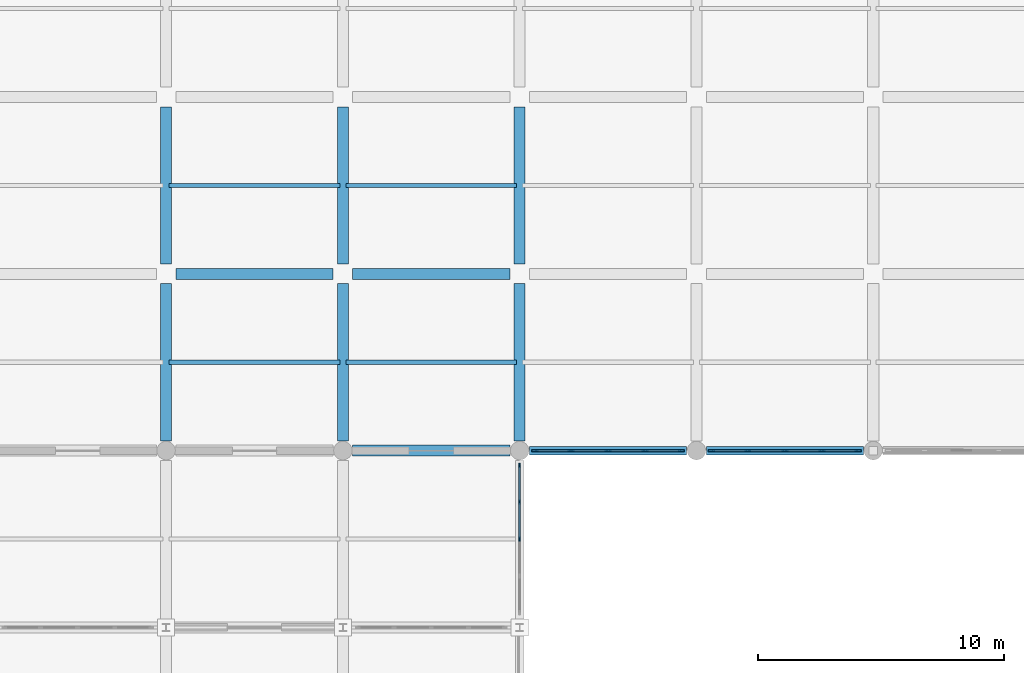
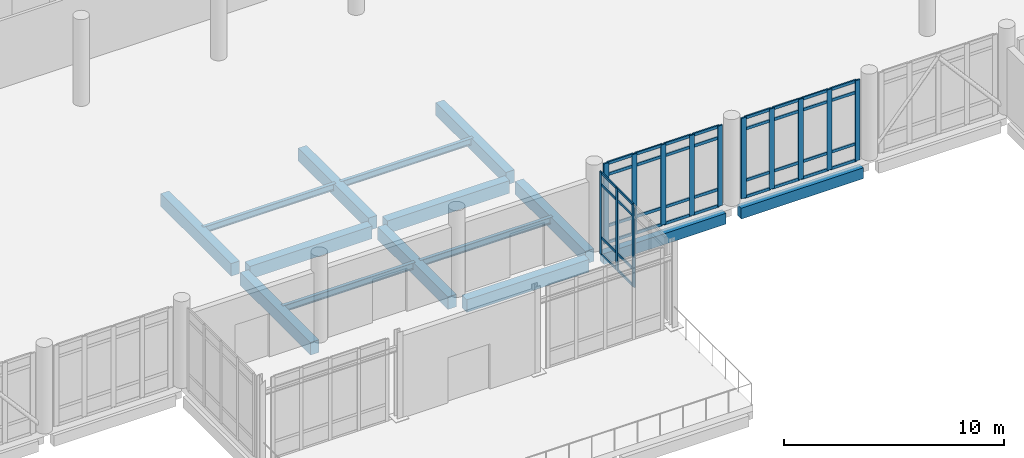
# One storey, part 17 of 59: 53 members, 15 beams, 3 elements without a shape of their own.
"""IFC4 building model written with IfcOpenShell, lengths in metres."""

from ifc_helpers import new_model, si_unit, direction, frame, origin, origin_2d, place, context, subcontext, project, spatial, rectangle, i_section, extrude, material, layer, layer_set, material_profile, profile_set, type_object, element, aggregate, save


model = new_model("IFC4")

# Units and contexts
model_context = context("Model", 3, precision=1e-05, world=origin(), true_north=direction((0.0, 1.0)))
body_context = subcontext(model_context, "Body", "Model", "MODEL_VIEW")
ifc_project = project(units=[si_unit("LENGTHUNIT", "METRE"), si_unit("AREAUNIT", "SQUARE_METRE"), si_unit("VOLUMEUNIT", "CUBIC_METRE"), si_unit("PLANEANGLEUNIT", "RADIAN"), si_unit("MASSUNIT", "GRAM", prefix="KILO")], contexts=[model_context])

# Site, building, storey
site_placement = place(None, origin())
site = spatial("IfcSite", under=ifc_project, at=site_placement, CompositionType="ELEMENT")
building_placement = place(site_placement, origin())
building = spatial("IfcBuilding", under=site, at=building_placement, Name="Valkovuoma Quantum and Materials Research Institute", CompositionType="ELEMENT")
storey_placement = place(building_placement, origin())
storey = spatial("IfcBuildingStorey", under=building, at=storey_placement, Name="L00", CompositionType="ELEMENT", Elevation=0.0)

# Beams
ifc_material_1 = material(Name="Steel S355J2", Category="steel")
ifc_material_profile_1 = material_profile(ifc_material_1, i_section(OverallWidth=0.169921875, OverallDepth=0.360107421875, WebThickness=0.008056640625, FlangeThickness=0.0126953125, FilletRadius=0.01806640625, at=origin_2d()), Name="Steel S355J2")
ifc_profile_set_1 = profile_set([ifc_material_profile_1], Name="Steel S355J2")
beam_type_1 = type_object("IfcBeamType", Name="Beam-B-JST360", PredefinedType="JOIST", material=ifc_profile_set_1)
for number, where, z_axis, x_axis, name in (
    (1, (64.919921875, 39.60009765625, -0.580078125), (1.0, 0.0, 0.0), (0.0, 1.0, 0.0), "L00 floor joist 0425"),
    (2, (72.1201171875, 39.60009765625, -0.580078125), (1.0, 0.0, 0.0), (0.0, 1.0, 0.0), "L00 floor joist 0426"),
    (3, (64.919921875, 46.800048828125, -0.580078125), (1.0, 0.0, 0.0), (0.0, 1.0, 0.0), "L00 floor joist 0442"),
    (4, (72.1201171875, 46.800048828125, -0.580078125), (1.0, 0.0, 0.0), (0.0, 1.0, 0.0), "L00 floor joist 0443"),
):
    element("IfcBeam", number, at=place(storey_placement, frame(where, z_axis=z_axis, x_axis=x_axis)), inside=storey, type_object=beam_type_1, Name=name, PredefinedType="JOIST", context=body_context, shape_type="SweptSolid", body=[
        extrude(i_section(OverallWidth=0.169921875, OverallDepth=0.360107421875, WebThickness=0.008056640625, FlangeThickness=0.0126953125, FilletRadius=0.01806640625, at=origin_2d()), origin(), (0.0, 0.0, 1.0), 6.9599609375),
    ])
ifc_material_2 = material(Name="Concrete C40/50", Category="concrete")
ifc_material_profile_2 = material_profile(ifc_material_2, rectangle(XDim=0.449951171875, YDim=0.699951171875, at=origin_2d()), Name="Concrete C40/50")
ifc_profile_set_2 = profile_set([ifc_material_profile_2], Name="Concrete C40/50")
beam_type_2 = type_object("IfcBeamType", Name="Beam-B-RC700", PredefinedType="BEAM", material=ifc_profile_set_2)
for number, where, z_axis, x_axis, name in (
    (5, (72.39990234375, 36.0, -0.75), (1.0, 0.0, 0.0), (0.0, 1.0, 0.0), "L00 beam X-0041"),
    (6, (65.199951171875, 43.199951171875, -0.75), (1.0, 0.0, 0.0), (0.0, 1.0, 0.0), "L00 beam X-0063"),
    (7, (72.39990234375, 43.199951171875, -0.75), (1.0, 0.0, 0.0), (0.0, 1.0, 0.0), "L00 beam X-0064"),
    (8, (64.800048828125, 36.39990234375, -0.75), (0.0, 1.0, 0.0), (-1.0, 0.0, 0.0), "L00 beam Y-0270"),
):
    element("IfcBeam", number, at=place(storey_placement, frame(where, z_axis=z_axis, x_axis=x_axis)), inside=storey, type_object=beam_type_2, Name=name, PredefinedType="BEAM", context=body_context, shape_type="SweptSolid", body=[
        extrude(rectangle(XDim=0.449951171875, YDim=0.699951171875, at=origin_2d()), origin(), (0.0, 0.0, 1.0), 6.400146484375),
    ])
beam_1_placement = place(storey_placement, frame((64.800048828125, 43.60009765625, -0.75), z_axis=(0.0, 1.0, 0.0), x_axis=(-1.0, 0.0, 0.0)))
element("IfcBeam", 9, at=beam_1_placement, inside=storey, type_object=beam_type_2, Name="L00 beam Y-0271", PredefinedType="BEAM", context=body_context, shape_type="SweptSolid", body=[
    extrude(rectangle(XDim=0.449951171875, YDim=0.699951171875, at=origin_2d()), origin(), (0.0, 0.0, 1.0), 6.39990234375),
])
beam_2_placement = place(storey_placement, frame((72.0, 36.39990234375, -0.75), z_axis=(0.0, 1.0, 0.0), x_axis=(-1.0, 0.0, 0.0)))
element("IfcBeam", 10, at=beam_2_placement, inside=storey, type_object=beam_type_2, Name="L00 beam Y-0276", PredefinedType="BEAM", context=body_context, shape_type="SweptSolid", body=[
    extrude(rectangle(XDim=0.449951171875, YDim=0.699951171875, at=origin_2d()), origin(), (0.0, 0.0, 1.0), 6.400146484375),
])
beam_3_placement = place(storey_placement, frame((72.0, 43.60009765625, -0.75), z_axis=(0.0, 1.0, 0.0), x_axis=(-1.0, 0.0, 0.0)))
element("IfcBeam", 11, at=beam_3_placement, inside=storey, type_object=beam_type_2, Name="L00 beam Y-0277", PredefinedType="BEAM", context=body_context, shape_type="SweptSolid", body=[
    extrude(rectangle(XDim=0.449951171875, YDim=0.699951171875, at=origin_2d()), origin(), (0.0, 0.0, 1.0), 6.39990234375),
])
beam_4_placement = place(storey_placement, frame((79.199951171875, 36.39990234375, -0.75), z_axis=(0.0, 1.0, 0.0), x_axis=(-1.0, 0.0, 0.0)))
element("IfcBeam", 12, at=beam_4_placement, inside=storey, type_object=beam_type_2, Name="L00 beam Y-0282", PredefinedType="BEAM", context=body_context, shape_type="SweptSolid", body=[
    extrude(rectangle(XDim=0.449951171875, YDim=0.699951171875, at=origin_2d()), origin(), (0.0, 0.0, 1.0), 6.400146484375),
])
beam_5_placement = place(storey_placement, frame((79.199951171875, 43.60009765625, -0.75), z_axis=(0.0, 1.0, 0.0), x_axis=(-1.0, 0.0, 0.0)))
element("IfcBeam", 13, at=beam_5_placement, inside=storey, type_object=beam_type_2, Name="L00 beam Y-0283", PredefinedType="BEAM", context=body_context, shape_type="SweptSolid", body=[
    extrude(rectangle(XDim=0.449951171875, YDim=0.699951171875, at=origin_2d()), origin(), (0.0, 0.0, 1.0), 6.39990234375),
])
ifc_material_3 = material(Name="Concrete C40/50", Category="concrete")
ifc_material_profile_3 = material_profile(ifc_material_3, rectangle(XDim=0.35009765625, YDim=0.60009765625, at=origin_2d()), Name="Concrete C40/50")
ifc_profile_set_3 = profile_set([ifc_material_profile_3], Name="Concrete C40/50")
beam_type_3 = type_object("IfcBeamType", Name="Beam-B-SPN600", PredefinedType="SPANDREL", material=ifc_profile_set_3)
for number, where, z_axis, x_axis, name in (
    (14, (79.60009765625, 36.0, -0.699951171875), (1.0, 0.0, 0.0), (0.0, 1.0, 0.0), "L00 beam X-0042"),
    (15, (86.800048828125, 36.0, -0.699951171875), (1.0, 0.0, 0.0), (0.0, 1.0, 0.0), "L00 beam X-0043"),
):
    element("IfcBeam", number, at=place(storey_placement, frame(where, z_axis=z_axis, x_axis=x_axis)), inside=storey, type_object=beam_type_3, Name=name, PredefinedType="SPANDREL", context=body_context, shape_type="SweptSolid", body=[
        extrude(rectangle(XDim=0.35009765625, YDim=0.60009765625, at=origin_2d()), origin(), (0.0, 0.0, 1.0), 6.39990234375),
    ])

# Curtain wall, members
ifc_material_4 = material(Name="Thermally broken aluminium and triple low-E glazing", Category="aluminium")
ifc_layer_1 = layer(ifc_material_4, 0.219970703125)
ifc_layer_set_1 = layer_set([ifc_layer_1], Name="Thermally broken aluminium and triple low-E glazing")
curtain_wall_type_1 = type_object("IfcCurtainWallType", Name="CW-CW-04", PredefinedType="NOTDEFINED", material=ifc_layer_set_1)
curtain_wall_1_placement = place(storey_placement, origin())
curtain_wall_1 = element("IfcCurtainWall", 16, at=curtain_wall_1_placement, inside=storey, type_object=curtain_wall_type_1, Name="L00 curtain wall 146", PredefinedType="NOTDEFINED")
ifc_material_5 = material(Name="Anodised aluminium 6060-T66", Category="aluminium")
ifc_material_profile_4 = material_profile(ifc_material_5, rectangle(XDim=0.06494140625, YDim=0.179931640625, at=origin_2d()), Name="Anodised aluminium 6060-T66")
ifc_profile_set_4 = profile_set([ifc_material_profile_4], Name="Anodised aluminium 6060-T66")
member_type_1 = type_object("IfcMemberType", Name="CWMull-CWM-01", PredefinedType="MULLION", material=ifc_profile_set_4)
member_1_placement = place(storey_placement, frame((79.199951171875, 32.39990234375, 0.0), z_axis=(0.0, 0.0, 1.0), x_axis=(-1.0, 0.0, 0.0)))
member_1 = element("IfcMember", 17, at=member_1_placement, type_object=member_type_1, Name="CW-04 mullion 3", PredefinedType="MULLION", context=body_context, shape_type="SweptSolid", body=[
    extrude(rectangle(XDim=0.06494140625, YDim=0.179931640625, at=origin_2d()), origin(), (0.0, 0.0, 1.0), 4.550048828125),
])
member_2_placement = place(storey_placement, frame((79.199951171875, 33.909912109375, 0.0), z_axis=(0.0, 0.0, 1.0), x_axis=(-1.0, 0.0, 0.0)))
member_2 = element("IfcMember", 18, at=member_2_placement, type_object=member_type_1, Name="CW-04 mullion 4", PredefinedType="MULLION", context=body_context, shape_type="SweptSolid", body=[
    extrude(rectangle(XDim=0.06494140625, YDim=0.179931640625, at=origin_2d()), origin(), (0.0, 0.0, 1.0), 4.550048828125),
])
member_3_placement = place(storey_placement, frame((79.199951171875, 35.387451171875, 0.0), z_axis=(0.0, 0.0, 1.0), x_axis=(-1.0, 0.0, 0.0)))
member_3 = element("IfcMember", 19, at=member_3_placement, type_object=member_type_1, Name="CW-04 mullion 5", PredefinedType="MULLION", context=body_context, shape_type="SweptSolid", body=[
    extrude(rectangle(XDim=0.06494140625, YDim=0.179931640625, at=origin_2d()), origin(), (0.0, 0.0, 1.0), 4.550048828125),
])

ifc_material_6 = material(Name="Thermally broken aluminium and triple low-E glazing", Category="aluminium")
ifc_layer_2 = layer(ifc_material_6, 0.219970703125)
ifc_layer_set_2 = layer_set([ifc_layer_2], Name="Thermally broken aluminium and triple low-E glazing")
curtain_wall_type_2 = type_object("IfcCurtainWallType", Name="CW-CW-02", PredefinedType="NOTDEFINED", material=ifc_layer_set_2)
curtain_wall_2_placement = place(storey_placement, origin())
curtain_wall_2 = element("IfcCurtainWall", 20, at=curtain_wall_2_placement, inside=storey, type_object=curtain_wall_type_2, Name="L00 curtain wall 152", PredefinedType="NOTDEFINED")
ifc_material_7 = material(Name="Anodised aluminium 6060-T66", Category="aluminium")
ifc_material_profile_5 = material_profile(ifc_material_7, rectangle(XDim=0.080078125, YDim=0.260009765625, at=origin_2d()), Name="Anodised aluminium 6060-T66")
ifc_profile_set_5 = profile_set([ifc_material_profile_5], Name="Anodised aluminium 6060-T66")
member_type_2 = type_object("IfcMemberType", Name="CWMull-CWM-03", PredefinedType="MULLION", material=ifc_profile_set_5)
member_4_placement = place(storey_placement, frame((79.820068359375, 36.0, 0.0), z_axis=(0.0, 0.0, 1.0), x_axis=(0.0, 1.0, 0.0)))
member_4 = element("IfcMember", 21, at=member_4_placement, type_object=member_type_2, Name="CW-02 mullion 1", PredefinedType="MULLION", context=body_context, shape_type="SweptSolid", body=[
    extrude(rectangle(XDim=0.080078125, YDim=0.260009765625, at=origin_2d()), origin(), (0.0, 0.0, 1.0), 4.449951171875),
])
member_5_placement = place(storey_placement, frame((81.2900390625, 36.0, 0.0), z_axis=(0.0, 0.0, 1.0), x_axis=(0.0, 1.0, 0.0)))
member_5 = element("IfcMember", 22, at=member_5_placement, type_object=member_type_2, Name="CW-02 mullion 2", PredefinedType="MULLION", context=body_context, shape_type="SweptSolid", body=[
    extrude(rectangle(XDim=0.080078125, YDim=0.260009765625, at=origin_2d()), origin(), (0.0, 0.0, 1.0), 4.449951171875),
])
member_6_placement = place(storey_placement, frame((82.800048828125, 36.0, 0.0), z_axis=(0.0, 0.0, 1.0), x_axis=(0.0, 1.0, 0.0)))
member_6 = element("IfcMember", 23, at=member_6_placement, type_object=member_type_2, Name="CW-02 mullion 3", PredefinedType="MULLION", context=body_context, shape_type="SweptSolid", body=[
    extrude(rectangle(XDim=0.080078125, YDim=0.260009765625, at=origin_2d()), origin(), (0.0, 0.0, 1.0), 4.449951171875),
])
member_7_placement = place(storey_placement, frame((84.31005859375, 36.0, 0.0), z_axis=(0.0, 0.0, 1.0), x_axis=(0.0, 1.0, 0.0)))
member_7 = element("IfcMember", 24, at=member_7_placement, type_object=member_type_2, Name="CW-02 mullion 4", PredefinedType="MULLION", context=body_context, shape_type="SweptSolid", body=[
    extrude(rectangle(XDim=0.080078125, YDim=0.260009765625, at=origin_2d()), origin(), (0.0, 0.0, 1.0), 4.449951171875),
])
member_8_placement = place(storey_placement, frame((85.780029296875, 36.0, 0.0), z_axis=(0.0, 0.0, 1.0), x_axis=(0.0, 1.0, 0.0)))
member_8 = element("IfcMember", 25, at=member_8_placement, type_object=member_type_2, Name="CW-02 mullion 5", PredefinedType="MULLION", context=body_context, shape_type="SweptSolid", body=[
    extrude(rectangle(XDim=0.080078125, YDim=0.260009765625, at=origin_2d()), origin(), (0.0, 0.0, 1.0), 4.449951171875),
])

curtain_wall_3_placement = place(storey_placement, origin())
curtain_wall_3 = element("IfcCurtainWall", 26, at=curtain_wall_3_placement, inside=storey, type_object=curtain_wall_type_2, Name="L00 curtain wall 153", PredefinedType="NOTDEFINED")
member_9_placement = place(storey_placement, frame((87.02001953125, 36.0, 0.0), z_axis=(0.0, 0.0, 1.0), x_axis=(0.0, 1.0, 0.0)))
member_9 = element("IfcMember", 27, at=member_9_placement, type_object=member_type_2, Name="CW-02 mullion 1", PredefinedType="MULLION", context=body_context, shape_type="SweptSolid", body=[
    extrude(rectangle(XDim=0.080078125, YDim=0.260009765625, at=origin_2d()), origin(), (0.0, 0.0, 1.0), 4.449951171875),
])
member_10_placement = place(storey_placement, frame((88.489990234375, 36.0, 0.0), z_axis=(0.0, 0.0, 1.0), x_axis=(0.0, 1.0, 0.0)))
member_10 = element("IfcMember", 28, at=member_10_placement, type_object=member_type_2, Name="CW-02 mullion 2", PredefinedType="MULLION", context=body_context, shape_type="SweptSolid", body=[
    extrude(rectangle(XDim=0.080078125, YDim=0.260009765625, at=origin_2d()), origin(), (0.0, 0.0, 1.0), 4.449951171875),
])
member_11_placement = place(storey_placement, frame((90.0, 36.0, 0.0), z_axis=(0.0, 0.0, 1.0), x_axis=(0.0, 1.0, 0.0)))
member_11 = element("IfcMember", 29, at=member_11_placement, type_object=member_type_2, Name="CW-02 mullion 3", PredefinedType="MULLION", context=body_context, shape_type="SweptSolid", body=[
    extrude(rectangle(XDim=0.080078125, YDim=0.260009765625, at=origin_2d()), origin(), (0.0, 0.0, 1.0), 4.449951171875),
])
member_12_placement = place(storey_placement, frame((91.510009765625, 36.0, 0.0), z_axis=(0.0, 0.0, 1.0), x_axis=(0.0, 1.0, 0.0)))
member_12 = element("IfcMember", 30, at=member_12_placement, type_object=member_type_2, Name="CW-02 mullion 4", PredefinedType="MULLION", context=body_context, shape_type="SweptSolid", body=[
    extrude(rectangle(XDim=0.080078125, YDim=0.260009765625, at=origin_2d()), origin(), (0.0, 0.0, 1.0), 4.449951171875),
])
member_13_placement = place(storey_placement, frame((92.97998046875, 36.0, 0.0), z_axis=(0.0, 0.0, 1.0), x_axis=(0.0, 1.0, 0.0)))
member_13 = element("IfcMember", 31, at=member_13_placement, type_object=member_type_2, Name="CW-02 mullion 5", PredefinedType="MULLION", context=body_context, shape_type="SweptSolid", body=[
    extrude(rectangle(XDim=0.080078125, YDim=0.260009765625, at=origin_2d()), origin(), (0.0, 0.0, 1.0), 4.449951171875),
])

# Member
ifc_material_8 = material(Name="Anodised aluminium 6060-T66", Category="aluminium")
ifc_material_profile_6 = material_profile(ifc_material_8, rectangle(XDim=0.06494140625, YDim=0.139892578125, at=origin_2d()), Name="Anodised aluminium 6060-T66")
ifc_profile_set_6 = profile_set([ifc_material_profile_6], Name="Anodised aluminium 6060-T66")
member_type_3 = type_object("IfcMemberType", Name="CWTran-CWT-01", PredefinedType="USERDEFINED", material=ifc_profile_set_6)
member_14_placement = place(storey_placement, frame((79.199951171875, 32.4326171875, 0.032470703125), z_axis=(0.0, 1.0, 0.0), x_axis=(-1.0, 0.0, 0.0)))
member_14 = element("IfcMember", 32, at=member_14_placement, type_object=member_type_3, Name="CW-04 transom 3.1", ObjectType="TRANSOM", PredefinedType="USERDEFINED", context=body_context, shape_type="SweptSolid", body=[
    extrude(rectangle(XDim=0.06494140625, YDim=0.139892578125, at=origin_2d()), origin(), (0.0, 0.0, 1.0), 1.44482421875),
])

member_15_placement = place(storey_placement, frame((79.199951171875, 32.4326171875, 0.949951171875), z_axis=(0.0, 1.0, 0.0), x_axis=(-1.0, 0.0, 0.0)))
member_15 = element("IfcMember", 33, at=member_15_placement, type_object=member_type_3, Name="CW-04 transom 3.2", ObjectType="TRANSOM", PredefinedType="USERDEFINED", context=body_context, shape_type="SweptSolid", body=[
    extrude(rectangle(XDim=0.06494140625, YDim=0.139892578125, at=origin_2d()), origin(), (0.0, 0.0, 1.0), 1.44482421875),
])

member_16_placement = place(storey_placement, frame((79.199951171875, 32.4326171875, 3.89990234375), z_axis=(0.0, 1.0, 0.0), x_axis=(-1.0, 0.0, 0.0)))
member_16 = element("IfcMember", 34, at=member_16_placement, type_object=member_type_3, Name="CW-04 transom 3.3", ObjectType="TRANSOM", PredefinedType="USERDEFINED", context=body_context, shape_type="SweptSolid", body=[
    extrude(rectangle(XDim=0.06494140625, YDim=0.139892578125, at=origin_2d()), origin(), (0.0, 0.0, 1.0), 1.44482421875),
])

member_17_placement = place(storey_placement, frame((79.199951171875, 32.4326171875, 4.517578125), z_axis=(0.0, 1.0, 0.0), x_axis=(-1.0, 0.0, 0.0)))
member_17 = element("IfcMember", 35, at=member_17_placement, type_object=member_type_3, Name="CW-04 transom 3.4", ObjectType="TRANSOM", PredefinedType="USERDEFINED", context=body_context, shape_type="SweptSolid", body=[
    extrude(rectangle(XDim=0.06494140625, YDim=0.139892578125, at=origin_2d()), origin(), (0.0, 0.0, 1.0), 1.44482421875),
])

member_18_placement = place(storey_placement, frame((79.199951171875, 33.9423828125, 0.032470703125), z_axis=(0.0, 1.0, 0.0), x_axis=(-1.0, 0.0, 0.0)))
member_18 = element("IfcMember", 36, at=member_18_placement, type_object=member_type_3, Name="CW-04 transom 4.1", ObjectType="TRANSOM", PredefinedType="USERDEFINED", context=body_context, shape_type="SweptSolid", body=[
    extrude(rectangle(XDim=0.06494140625, YDim=0.139892578125, at=origin_2d()), origin(), (0.0, 0.0, 1.0), 1.41259765625),
])

member_19_placement = place(storey_placement, frame((79.199951171875, 33.9423828125, 0.949951171875), z_axis=(0.0, 1.0, 0.0), x_axis=(-1.0, 0.0, 0.0)))
member_19 = element("IfcMember", 37, at=member_19_placement, type_object=member_type_3, Name="CW-04 transom 4.2", ObjectType="TRANSOM", PredefinedType="USERDEFINED", context=body_context, shape_type="SweptSolid", body=[
    extrude(rectangle(XDim=0.06494140625, YDim=0.139892578125, at=origin_2d()), origin(), (0.0, 0.0, 1.0), 1.41259765625),
])

member_20_placement = place(storey_placement, frame((79.199951171875, 33.9423828125, 3.89990234375), z_axis=(0.0, 1.0, 0.0), x_axis=(-1.0, 0.0, 0.0)))
member_20 = element("IfcMember", 38, at=member_20_placement, type_object=member_type_3, Name="CW-04 transom 4.3", ObjectType="TRANSOM", PredefinedType="USERDEFINED", context=body_context, shape_type="SweptSolid", body=[
    extrude(rectangle(XDim=0.06494140625, YDim=0.139892578125, at=origin_2d()), origin(), (0.0, 0.0, 1.0), 1.41259765625),
])

member_21_placement = place(storey_placement, frame((79.199951171875, 33.9423828125, 4.517578125), z_axis=(0.0, 1.0, 0.0), x_axis=(-1.0, 0.0, 0.0)))
member_21 = element("IfcMember", 39, at=member_21_placement, type_object=member_type_3, Name="CW-04 transom 4.4", ObjectType="TRANSOM", PredefinedType="USERDEFINED", context=body_context, shape_type="SweptSolid", body=[
    extrude(rectangle(XDim=0.06494140625, YDim=0.139892578125, at=origin_2d()), origin(), (0.0, 0.0, 1.0), 1.41259765625),
])

aggregate(curtain_wall_1, [member_1, member_2, member_3, member_14, member_15, member_16, member_17, member_18, member_19, member_20, member_21])

ifc_material_9 = material(Name="Anodised aluminium 6060-T66", Category="aluminium")
ifc_material_profile_7 = material_profile(ifc_material_9, rectangle(XDim=0.074951171875, YDim=0.159912109375, at=origin_2d()), Name="Anodised aluminium 6060-T66")
ifc_profile_set_7 = profile_set([ifc_material_profile_7], Name="Anodised aluminium 6060-T66")
member_type_4 = type_object("IfcMemberType", Name="CWTran-CWT-02", PredefinedType="USERDEFINED", material=ifc_profile_set_7)
member_22_placement = place(storey_placement, frame((79.860107421875, 36.0, 0.03759765625), z_axis=(1.0, 0.0, 0.0), x_axis=(0.0, 1.0, 0.0)))
member_22 = element("IfcMember", 40, at=member_22_placement, type_object=member_type_4, Name="CW-02 transom 1.1", ObjectType="TRANSOM", PredefinedType="USERDEFINED", context=body_context, shape_type="SweptSolid", body=[
    extrude(rectangle(XDim=0.074951171875, YDim=0.159912109375, at=origin_2d()), origin(), (0.0, 0.0, 1.0), 1.389892578125),
])

member_23_placement = place(storey_placement, frame((79.860107421875, 36.0, 0.949951171875), z_axis=(1.0, 0.0, 0.0), x_axis=(0.0, 1.0, 0.0)))
member_23 = element("IfcMember", 41, at=member_23_placement, type_object=member_type_4, Name="CW-02 transom 1.2", ObjectType="TRANSOM", PredefinedType="USERDEFINED", context=body_context, shape_type="SweptSolid", body=[
    extrude(rectangle(XDim=0.074951171875, YDim=0.159912109375, at=origin_2d()), origin(), (0.0, 0.0, 1.0), 1.389892578125),
])

member_24_placement = place(storey_placement, frame((79.860107421875, 36.0, 3.800048828125), z_axis=(1.0, 0.0, 0.0), x_axis=(0.0, 1.0, 0.0)))
member_24 = element("IfcMember", 42, at=member_24_placement, type_object=member_type_4, Name="CW-02 transom 1.3", ObjectType="TRANSOM", PredefinedType="USERDEFINED", context=body_context, shape_type="SweptSolid", body=[
    extrude(rectangle(XDim=0.074951171875, YDim=0.159912109375, at=origin_2d()), origin(), (0.0, 0.0, 1.0), 1.389892578125),
])

member_25_placement = place(storey_placement, frame((79.860107421875, 36.0, 4.41259765625), z_axis=(1.0, 0.0, 0.0), x_axis=(0.0, 1.0, 0.0)))
member_25 = element("IfcMember", 43, at=member_25_placement, type_object=member_type_4, Name="CW-02 transom 1.4", ObjectType="TRANSOM", PredefinedType="USERDEFINED", context=body_context, shape_type="SweptSolid", body=[
    extrude(rectangle(XDim=0.074951171875, YDim=0.159912109375, at=origin_2d()), origin(), (0.0, 0.0, 1.0), 1.389892578125),
])

member_26_placement = place(storey_placement, frame((81.330078125, 36.0, 0.03759765625), z_axis=(1.0, 0.0, 0.0), x_axis=(0.0, 1.0, 0.0)))
member_26 = element("IfcMember", 44, at=member_26_placement, type_object=member_type_4, Name="CW-02 transom 2.1", ObjectType="TRANSOM", PredefinedType="USERDEFINED", context=body_context, shape_type="SweptSolid", body=[
    extrude(rectangle(XDim=0.074951171875, YDim=0.159912109375, at=origin_2d()), origin(), (0.0, 0.0, 1.0), 1.429931640625),
])

member_27_placement = place(storey_placement, frame((81.330078125, 36.0, 0.949951171875), z_axis=(1.0, 0.0, 0.0), x_axis=(0.0, 1.0, 0.0)))
member_27 = element("IfcMember", 45, at=member_27_placement, type_object=member_type_4, Name="CW-02 transom 2.2", ObjectType="TRANSOM", PredefinedType="USERDEFINED", context=body_context, shape_type="SweptSolid", body=[
    extrude(rectangle(XDim=0.074951171875, YDim=0.159912109375, at=origin_2d()), origin(), (0.0, 0.0, 1.0), 1.429931640625),
])

member_28_placement = place(storey_placement, frame((81.330078125, 36.0, 3.800048828125), z_axis=(1.0, 0.0, 0.0), x_axis=(0.0, 1.0, 0.0)))
member_28 = element("IfcMember", 46, at=member_28_placement, type_object=member_type_4, Name="CW-02 transom 2.3", ObjectType="TRANSOM", PredefinedType="USERDEFINED", context=body_context, shape_type="SweptSolid", body=[
    extrude(rectangle(XDim=0.074951171875, YDim=0.159912109375, at=origin_2d()), origin(), (0.0, 0.0, 1.0), 1.429931640625),
])

member_29_placement = place(storey_placement, frame((81.330078125, 36.0, 4.41259765625), z_axis=(1.0, 0.0, 0.0), x_axis=(0.0, 1.0, 0.0)))
member_29 = element("IfcMember", 47, at=member_29_placement, type_object=member_type_4, Name="CW-02 transom 2.4", ObjectType="TRANSOM", PredefinedType="USERDEFINED", context=body_context, shape_type="SweptSolid", body=[
    extrude(rectangle(XDim=0.074951171875, YDim=0.159912109375, at=origin_2d()), origin(), (0.0, 0.0, 1.0), 1.429931640625),
])

member_30_placement = place(storey_placement, frame((82.840087890625, 36.0, 0.03759765625), z_axis=(1.0, 0.0, 0.0), x_axis=(0.0, 1.0, 0.0)))
member_30 = element("IfcMember", 48, at=member_30_placement, type_object=member_type_4, Name="CW-02 transom 3.1", ObjectType="TRANSOM", PredefinedType="USERDEFINED", context=body_context, shape_type="SweptSolid", body=[
    extrude(rectangle(XDim=0.074951171875, YDim=0.159912109375, at=origin_2d()), origin(), (0.0, 0.0, 1.0), 1.429931640625),
])

member_31_placement = place(storey_placement, frame((82.840087890625, 36.0, 0.949951171875), z_axis=(1.0, 0.0, 0.0), x_axis=(0.0, 1.0, 0.0)))
member_31 = element("IfcMember", 49, at=member_31_placement, type_object=member_type_4, Name="CW-02 transom 3.2", ObjectType="TRANSOM", PredefinedType="USERDEFINED", context=body_context, shape_type="SweptSolid", body=[
    extrude(rectangle(XDim=0.074951171875, YDim=0.159912109375, at=origin_2d()), origin(), (0.0, 0.0, 1.0), 1.429931640625),
])

member_32_placement = place(storey_placement, frame((82.840087890625, 36.0, 3.800048828125), z_axis=(1.0, 0.0, 0.0), x_axis=(0.0, 1.0, 0.0)))
member_32 = element("IfcMember", 50, at=member_32_placement, type_object=member_type_4, Name="CW-02 transom 3.3", ObjectType="TRANSOM", PredefinedType="USERDEFINED", context=body_context, shape_type="SweptSolid", body=[
    extrude(rectangle(XDim=0.074951171875, YDim=0.159912109375, at=origin_2d()), origin(), (0.0, 0.0, 1.0), 1.429931640625),
])

member_33_placement = place(storey_placement, frame((82.840087890625, 36.0, 4.41259765625), z_axis=(1.0, 0.0, 0.0), x_axis=(0.0, 1.0, 0.0)))
member_33 = element("IfcMember", 51, at=member_33_placement, type_object=member_type_4, Name="CW-02 transom 3.4", ObjectType="TRANSOM", PredefinedType="USERDEFINED", context=body_context, shape_type="SweptSolid", body=[
    extrude(rectangle(XDim=0.074951171875, YDim=0.159912109375, at=origin_2d()), origin(), (0.0, 0.0, 1.0), 1.429931640625),
])

member_34_placement = place(storey_placement, frame((84.35009765625, 36.0, 0.03759765625), z_axis=(1.0, 0.0, 0.0), x_axis=(0.0, 1.0, 0.0)))
member_34 = element("IfcMember", 52, at=member_34_placement, type_object=member_type_4, Name="CW-02 transom 4.1", ObjectType="TRANSOM", PredefinedType="USERDEFINED", context=body_context, shape_type="SweptSolid", body=[
    extrude(rectangle(XDim=0.074951171875, YDim=0.159912109375, at=origin_2d()), origin(), (0.0, 0.0, 1.0), 1.389892578125),
])

member_35_placement = place(storey_placement, frame((84.35009765625, 36.0, 0.949951171875), z_axis=(1.0, 0.0, 0.0), x_axis=(0.0, 1.0, 0.0)))
member_35 = element("IfcMember", 53, at=member_35_placement, type_object=member_type_4, Name="CW-02 transom 4.2", ObjectType="TRANSOM", PredefinedType="USERDEFINED", context=body_context, shape_type="SweptSolid", body=[
    extrude(rectangle(XDim=0.074951171875, YDim=0.159912109375, at=origin_2d()), origin(), (0.0, 0.0, 1.0), 1.389892578125),
])

member_36_placement = place(storey_placement, frame((84.35009765625, 36.0, 3.800048828125), z_axis=(1.0, 0.0, 0.0), x_axis=(0.0, 1.0, 0.0)))
member_36 = element("IfcMember", 54, at=member_36_placement, type_object=member_type_4, Name="CW-02 transom 4.3", ObjectType="TRANSOM", PredefinedType="USERDEFINED", context=body_context, shape_type="SweptSolid", body=[
    extrude(rectangle(XDim=0.074951171875, YDim=0.159912109375, at=origin_2d()), origin(), (0.0, 0.0, 1.0), 1.389892578125),
])

member_37_placement = place(storey_placement, frame((84.35009765625, 36.0, 4.41259765625), z_axis=(1.0, 0.0, 0.0), x_axis=(0.0, 1.0, 0.0)))
member_37 = element("IfcMember", 55, at=member_37_placement, type_object=member_type_4, Name="CW-02 transom 4.4", ObjectType="TRANSOM", PredefinedType="USERDEFINED", context=body_context, shape_type="SweptSolid", body=[
    extrude(rectangle(XDim=0.074951171875, YDim=0.159912109375, at=origin_2d()), origin(), (0.0, 0.0, 1.0), 1.389892578125),
])

aggregate(curtain_wall_2, [member_4, member_5, member_6, member_7, member_8, member_22, member_23, member_24, member_25, member_26, member_27, member_28, member_29, member_30, member_31, member_32, member_33, member_34, member_35, member_36, member_37])

member_38_placement = place(storey_placement, frame((87.06005859375, 36.0, 0.03759765625), z_axis=(1.0, 0.0, 0.0), x_axis=(0.0, 1.0, 0.0)))
member_38 = element("IfcMember", 56, at=member_38_placement, type_object=member_type_4, Name="CW-02 transom 1.1", ObjectType="TRANSOM", PredefinedType="USERDEFINED", context=body_context, shape_type="SweptSolid", body=[
    extrude(rectangle(XDim=0.074951171875, YDim=0.159912109375, at=origin_2d()), origin(), (0.0, 0.0, 1.0), 1.389892578125),
])

member_39_placement = place(storey_placement, frame((87.06005859375, 36.0, 0.949951171875), z_axis=(1.0, 0.0, 0.0), x_axis=(0.0, 1.0, 0.0)))
member_39 = element("IfcMember", 57, at=member_39_placement, type_object=member_type_4, Name="CW-02 transom 1.2", ObjectType="TRANSOM", PredefinedType="USERDEFINED", context=body_context, shape_type="SweptSolid", body=[
    extrude(rectangle(XDim=0.074951171875, YDim=0.159912109375, at=origin_2d()), origin(), (0.0, 0.0, 1.0), 1.389892578125),
])

member_40_placement = place(storey_placement, frame((87.06005859375, 36.0, 3.800048828125), z_axis=(1.0, 0.0, 0.0), x_axis=(0.0, 1.0, 0.0)))
member_40 = element("IfcMember", 58, at=member_40_placement, type_object=member_type_4, Name="CW-02 transom 1.3", ObjectType="TRANSOM", PredefinedType="USERDEFINED", context=body_context, shape_type="SweptSolid", body=[
    extrude(rectangle(XDim=0.074951171875, YDim=0.159912109375, at=origin_2d()), origin(), (0.0, 0.0, 1.0), 1.389892578125),
])

member_41_placement = place(storey_placement, frame((87.06005859375, 36.0, 4.41259765625), z_axis=(1.0, 0.0, 0.0), x_axis=(0.0, 1.0, 0.0)))
member_41 = element("IfcMember", 59, at=member_41_placement, type_object=member_type_4, Name="CW-02 transom 1.4", ObjectType="TRANSOM", PredefinedType="USERDEFINED", context=body_context, shape_type="SweptSolid", body=[
    extrude(rectangle(XDim=0.074951171875, YDim=0.159912109375, at=origin_2d()), origin(), (0.0, 0.0, 1.0), 1.389892578125),
])

member_42_placement = place(storey_placement, frame((88.530029296875, 36.0, 0.03759765625), z_axis=(1.0, 0.0, 0.0), x_axis=(0.0, 1.0, 0.0)))
member_42 = element("IfcMember", 60, at=member_42_placement, type_object=member_type_4, Name="CW-02 transom 2.1", ObjectType="TRANSOM", PredefinedType="USERDEFINED", context=body_context, shape_type="SweptSolid", body=[
    extrude(rectangle(XDim=0.074951171875, YDim=0.159912109375, at=origin_2d()), origin(), (0.0, 0.0, 1.0), 1.429931640625),
])

member_43_placement = place(storey_placement, frame((88.530029296875, 36.0, 0.949951171875), z_axis=(1.0, 0.0, 0.0), x_axis=(0.0, 1.0, 0.0)))
member_43 = element("IfcMember", 61, at=member_43_placement, type_object=member_type_4, Name="CW-02 transom 2.2", ObjectType="TRANSOM", PredefinedType="USERDEFINED", context=body_context, shape_type="SweptSolid", body=[
    extrude(rectangle(XDim=0.074951171875, YDim=0.159912109375, at=origin_2d()), origin(), (0.0, 0.0, 1.0), 1.429931640625),
])

member_44_placement = place(storey_placement, frame((88.530029296875, 36.0, 3.800048828125), z_axis=(1.0, 0.0, 0.0), x_axis=(0.0, 1.0, 0.0)))
member_44 = element("IfcMember", 62, at=member_44_placement, type_object=member_type_4, Name="CW-02 transom 2.3", ObjectType="TRANSOM", PredefinedType="USERDEFINED", context=body_context, shape_type="SweptSolid", body=[
    extrude(rectangle(XDim=0.074951171875, YDim=0.159912109375, at=origin_2d()), origin(), (0.0, 0.0, 1.0), 1.429931640625),
])

member_45_placement = place(storey_placement, frame((88.530029296875, 36.0, 4.41259765625), z_axis=(1.0, 0.0, 0.0), x_axis=(0.0, 1.0, 0.0)))
member_45 = element("IfcMember", 63, at=member_45_placement, type_object=member_type_4, Name="CW-02 transom 2.4", ObjectType="TRANSOM", PredefinedType="USERDEFINED", context=body_context, shape_type="SweptSolid", body=[
    extrude(rectangle(XDim=0.074951171875, YDim=0.159912109375, at=origin_2d()), origin(), (0.0, 0.0, 1.0), 1.429931640625),
])

member_46_placement = place(storey_placement, frame((90.0400390625, 36.0, 0.03759765625), z_axis=(1.0, 0.0, 0.0), x_axis=(0.0, 1.0, 0.0)))
member_46 = element("IfcMember", 64, at=member_46_placement, type_object=member_type_4, Name="CW-02 transom 3.1", ObjectType="TRANSOM", PredefinedType="USERDEFINED", context=body_context, shape_type="SweptSolid", body=[
    extrude(rectangle(XDim=0.074951171875, YDim=0.159912109375, at=origin_2d()), origin(), (0.0, 0.0, 1.0), 1.429931640625),
])

member_47_placement = place(storey_placement, frame((90.0400390625, 36.0, 0.949951171875), z_axis=(1.0, 0.0, 0.0), x_axis=(0.0, 1.0, 0.0)))
member_47 = element("IfcMember", 65, at=member_47_placement, type_object=member_type_4, Name="CW-02 transom 3.2", ObjectType="TRANSOM", PredefinedType="USERDEFINED", context=body_context, shape_type="SweptSolid", body=[
    extrude(rectangle(XDim=0.074951171875, YDim=0.159912109375, at=origin_2d()), origin(), (0.0, 0.0, 1.0), 1.429931640625),
])

member_48_placement = place(storey_placement, frame((90.0400390625, 36.0, 3.800048828125), z_axis=(1.0, 0.0, 0.0), x_axis=(0.0, 1.0, 0.0)))
member_48 = element("IfcMember", 66, at=member_48_placement, type_object=member_type_4, Name="CW-02 transom 3.3", ObjectType="TRANSOM", PredefinedType="USERDEFINED", context=body_context, shape_type="SweptSolid", body=[
    extrude(rectangle(XDim=0.074951171875, YDim=0.159912109375, at=origin_2d()), origin(), (0.0, 0.0, 1.0), 1.429931640625),
])

member_49_placement = place(storey_placement, frame((90.0400390625, 36.0, 4.41259765625), z_axis=(1.0, 0.0, 0.0), x_axis=(0.0, 1.0, 0.0)))
member_49 = element("IfcMember", 67, at=member_49_placement, type_object=member_type_4, Name="CW-02 transom 3.4", ObjectType="TRANSOM", PredefinedType="USERDEFINED", context=body_context, shape_type="SweptSolid", body=[
    extrude(rectangle(XDim=0.074951171875, YDim=0.159912109375, at=origin_2d()), origin(), (0.0, 0.0, 1.0), 1.429931640625),
])

member_50_placement = place(storey_placement, frame((91.550048828125, 36.0, 0.03759765625), z_axis=(1.0, 0.0, 0.0), x_axis=(0.0, 1.0, 0.0)))
member_50 = element("IfcMember", 68, at=member_50_placement, type_object=member_type_4, Name="CW-02 transom 4.1", ObjectType="TRANSOM", PredefinedType="USERDEFINED", context=body_context, shape_type="SweptSolid", body=[
    extrude(rectangle(XDim=0.074951171875, YDim=0.159912109375, at=origin_2d()), origin(), (0.0, 0.0, 1.0), 1.389892578125),
])

member_51_placement = place(storey_placement, frame((91.550048828125, 36.0, 0.949951171875), z_axis=(1.0, 0.0, 0.0), x_axis=(0.0, 1.0, 0.0)))
member_51 = element("IfcMember", 69, at=member_51_placement, type_object=member_type_4, Name="CW-02 transom 4.2", ObjectType="TRANSOM", PredefinedType="USERDEFINED", context=body_context, shape_type="SweptSolid", body=[
    extrude(rectangle(XDim=0.074951171875, YDim=0.159912109375, at=origin_2d()), origin(), (0.0, 0.0, 1.0), 1.389892578125),
])

member_52_placement = place(storey_placement, frame((91.550048828125, 36.0, 3.800048828125), z_axis=(1.0, 0.0, 0.0), x_axis=(0.0, 1.0, 0.0)))
member_52 = element("IfcMember", 70, at=member_52_placement, type_object=member_type_4, Name="CW-02 transom 4.3", ObjectType="TRANSOM", PredefinedType="USERDEFINED", context=body_context, shape_type="SweptSolid", body=[
    extrude(rectangle(XDim=0.074951171875, YDim=0.159912109375, at=origin_2d()), origin(), (0.0, 0.0, 1.0), 1.389892578125),
])

member_53_placement = place(storey_placement, frame((91.550048828125, 36.0, 4.41259765625), z_axis=(1.0, 0.0, 0.0), x_axis=(0.0, 1.0, 0.0)))
member_53 = element("IfcMember", 71, at=member_53_placement, type_object=member_type_4, Name="CW-02 transom 4.4", ObjectType="TRANSOM", PredefinedType="USERDEFINED", context=body_context, shape_type="SweptSolid", body=[
    extrude(rectangle(XDim=0.074951171875, YDim=0.159912109375, at=origin_2d()), origin(), (0.0, 0.0, 1.0), 1.389892578125),
])

aggregate(curtain_wall_3, [member_9, member_10, member_11, member_12, member_13, member_38, member_39, member_40, member_41, member_42, member_43, member_44, member_45, member_46, member_47, member_48, member_49, member_50, member_51, member_52, member_53])

save(model, "model.ifc")
